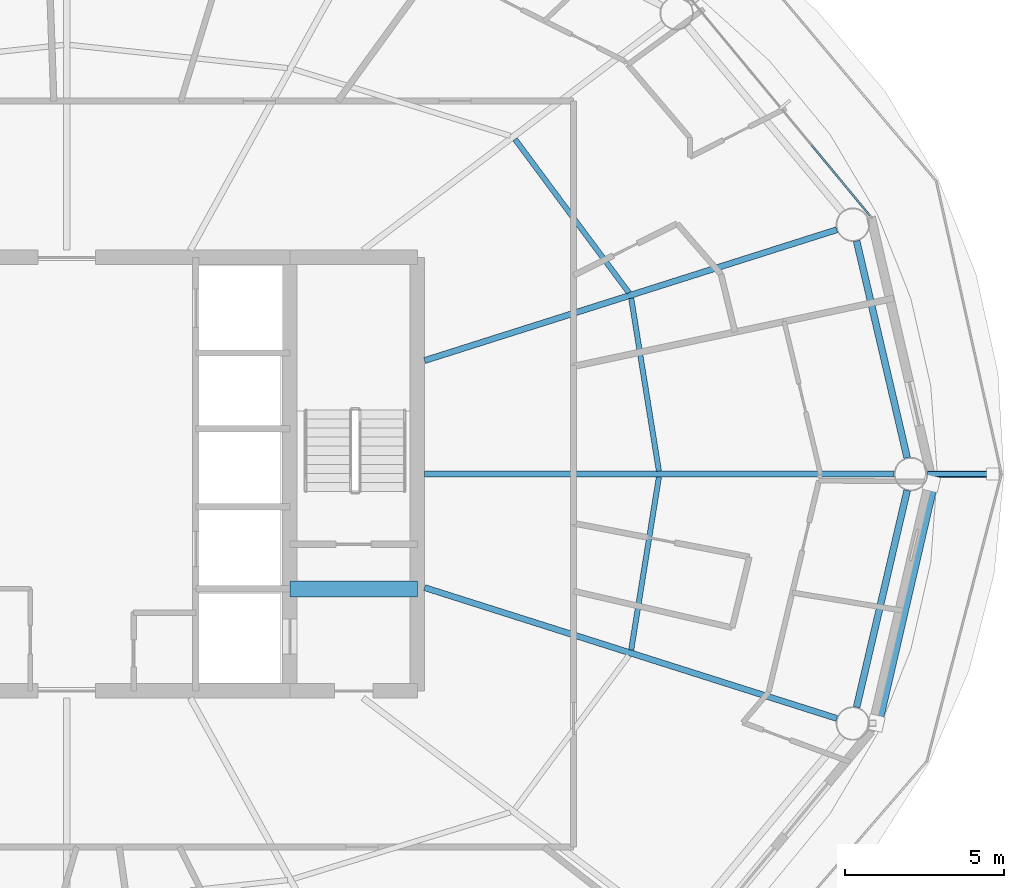
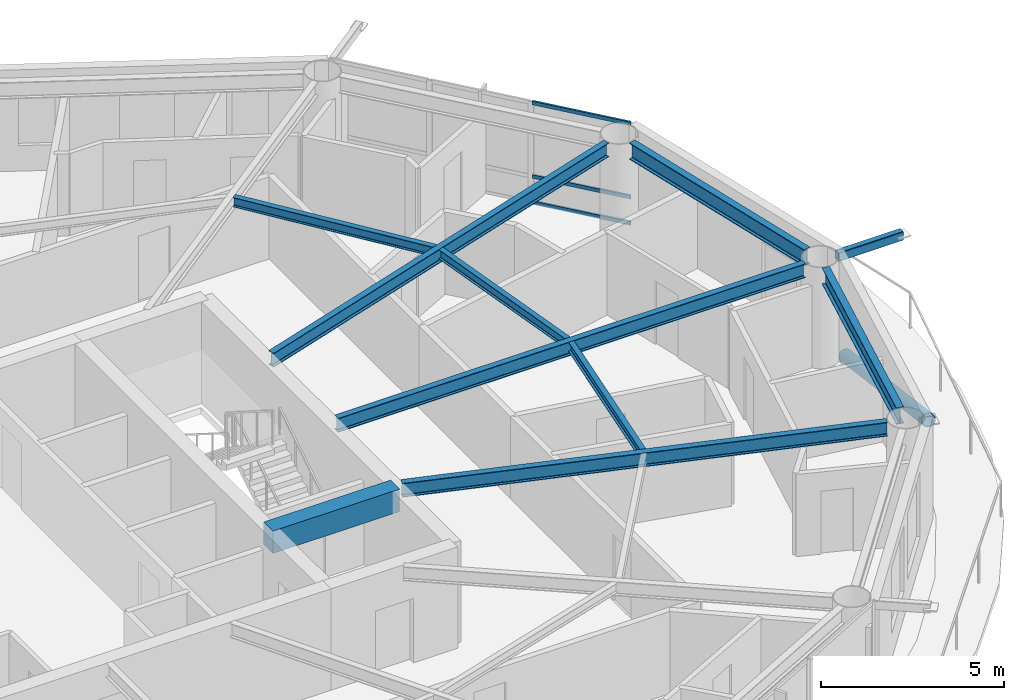
# One storey, part 8 of 29: 9 beams, 5 members, 1 element without a shape of its own.
"""IFC4 building model written with IfcOpenShell, lengths in metres."""

from ifc_helpers import new_model, si_unit, direction, frame, origin, origin_2d, place, context, subcontext, project, spatial, rectangle, hollow_rectangle, hollow_circle, i_section, extrude, material, layer, layer_set, material_profile, profile_set, type_object, element, aggregate, save


model = new_model("IFC4")

# Units and contexts
model_context = context("Model", 3, precision=1e-05, world=origin(), true_north=direction((0.0, 1.0)))
body_context = subcontext(model_context, "Body", "Model", "MODEL_VIEW")
ifc_project = project(units=[si_unit("LENGTHUNIT", "METRE"), si_unit("AREAUNIT", "SQUARE_METRE"), si_unit("VOLUMEUNIT", "CUBIC_METRE"), si_unit("PLANEANGLEUNIT", "RADIAN"), si_unit("MASSUNIT", "GRAM", prefix="KILO")], contexts=[model_context])

# Site, building, storey
site_placement = place(None, origin())
site = spatial("IfcSite", under=ifc_project, at=site_placement, CompositionType="ELEMENT")
building_placement = place(site_placement, origin())
building = spatial("IfcBuilding", under=site, at=building_placement, Name="Sarneth Arch Tower", CompositionType="ELEMENT")
storey_placement = place(building_placement, frame((0.0, 0.0, 165.0)))
storey = spatial("IfcBuildingStorey", under=building, at=storey_placement, Name="L41", CompositionType="ELEMENT", Elevation=165.0)

# Beams
ifc_material_1 = material(Name="Steel S355", Category="steel")
ifc_material_profile_1 = material_profile(ifc_material_1, i_section(OverallWidth=0.1669921875, OverallDepth=0.31689453125, WebThickness=0.007568359375, FlangeThickness=0.01318359375, FilletRadius=0.012939453125, at=origin_2d()), Name="W310x52")
ifc_profile_set_1 = profile_set([ifc_material_profile_1], Name="Steel S355")
beam_type_1 = type_object("IfcBeamType", Name="BM-JOIST-310B", PredefinedType="JOIST", material=ifc_profile_set_1)
beam_1_placement = place(storey_placement, frame((66.578125, 42.09521484375, 3.221435546875), z_axis=(-0.158262632389, 0.987397052451, 0.0), x_axis=(-0.987397052451, -0.158262632389, 0.0)))
element("IfcBeam", 1, at=beam_1_placement, inside=storey, type_object=beam_type_1, Name="L41 Secondary floor joist 01", PredefinedType="JOIST", context=body_context, shape_type="SweptSolid", body=[
    extrude(i_section(OverallWidth=0.1669921875, OverallDepth=0.31689453125, WebThickness=0.007568359375, FlangeThickness=0.01318359375, FilletRadius=0.012939453125, at=origin_2d()), origin(), (0.0, 0.0, 1.0), 5.493408203125),
])
beam_2_placement = place(storey_placement, frame((65.6357421875, 47.692138671875, 3.221435546875), z_axis=(-0.595933334016, 0.803033910497, 0.0), x_axis=(-0.803033910497, -0.595933334016, 0.0)))
element("IfcBeam", 2, at=beam_2_placement, inside=storey, type_object=beam_type_1, Name="L41 Secondary floor joist 02", PredefinedType="JOIST", context=body_context, shape_type="SweptSolid", body=[
    extrude(i_section(OverallWidth=0.1669921875, OverallDepth=0.31689453125, WebThickness=0.007568359375, FlangeThickness=0.01318359375, FilletRadius=0.012939453125, at=origin_2d()), origin(), (0.0, 0.0, 1.0), 5.99560546875),
])
beam_3_placement = place(storey_placement, frame((65.708740234375, 36.480712890625, 3.221435546875), z_axis=(0.158262632389, 0.987397052451, 0.0), x_axis=(-0.987397052451, 0.158262632389, 0.0)))
element("IfcBeam", 3, at=beam_3_placement, inside=storey, type_object=beam_type_1, Name="L41 Secondary floor joist 16", PredefinedType="JOIST", context=body_context, shape_type="SweptSolid", body=[
    extrude(i_section(OverallWidth=0.1669921875, OverallDepth=0.31689453125, WebThickness=0.007568359375, FlangeThickness=0.01318359375, FilletRadius=0.012939453125, at=origin_2d()), origin(), (0.0, 0.0, 1.0), 5.493408203125),
])
ifc_material_2 = material(Name="Concrete C50/60", Category="concrete")
ifc_material_profile_2 = material_profile(ifc_material_2, rectangle(XDim=0.5, YDim=0.75, at=origin_2d()), Name="RC-500x750")
ifc_profile_set_2 = profile_set([ifc_material_profile_2], Name="Concrete C50/60")
beam_type_2 = type_object("IfcBeamType", Name="BM-LINTEL-RC", PredefinedType="LINTEL", material=ifc_profile_set_2)
beam_4_placement = place(storey_placement, frame((55.0, 38.39990234375, 3.0048828125), z_axis=(1.0, 0.0, 0.0), x_axis=(0.0, 1.0, 0.0)))
element("IfcBeam", 4, at=beam_4_placement, inside=storey, type_object=beam_type_2, Name="L41 Core coupling lintel E", PredefinedType="LINTEL", context=body_context, shape_type="SweptSolid", body=[
    extrude(rectangle(XDim=0.5, YDim=0.75, at=origin_2d()), origin(), (0.0, 0.0, 1.0), 4.0),
])
ifc_material_3 = material(Name="Steel S355", Category="steel")
ifc_material_profile_3 = material_profile(ifc_material_3, i_section(OverallWidth=0.193115234375, OverallDepth=0.466064453125, WebThickness=0.011474609375, FlangeThickness=0.01904296875, FilletRadius=0.01806640625, at=origin_2d()), Name="W460x97")
ifc_profile_set_3 = profile_set([ifc_material_profile_3], Name="Steel S355")
beam_type_3 = type_object("IfcBeamType", Name="BM-RAD-460C", PredefinedType="BEAM", material=ifc_profile_set_3)
beam_5_placement = place(storey_placement, frame((59.22509765625, 42.0, 3.14697265625), z_axis=(1.0, 0.0, 0.0), x_axis=(0.0, 1.0, 0.0)))
element("IfcBeam", 5, at=beam_5_placement, inside=storey, type_object=beam_type_3, Name="L41 Radial floor girder 01", PredefinedType="BEAM", context=body_context, shape_type="SweptSolid", body=[
    extrude(i_section(OverallWidth=0.193115234375, OverallDepth=0.466064453125, WebThickness=0.011474609375, FlangeThickness=0.01904296875, FilletRadius=0.01806640625, at=origin_2d()), origin(), (0.0, 0.0, 1.0), 14.73681640625),
])
for number, where, z_axis, x_axis, name in (
    (6, (59.22509765625, 45.56201171875, 3.14697265625), (0.953163620049, 0.302455142815, 0.0), (-0.302455142815, 0.953163620049, 0.0), "L41 Radial floor girder 02"),
    (7, (59.22509765625, 38.43798828125, 3.14697265625), (0.953163620049, -0.302455142815, 0.0), (0.302455142815, 0.953163620049, 0.0), "L41 Radial floor girder 16"),
):
    element("IfcBeam", number, at=place(storey_placement, frame(where, z_axis=z_axis, x_axis=x_axis)), inside=storey, type_object=beam_type_3, Name=name, PredefinedType="BEAM", context=body_context, shape_type="SweptSolid", body=[
        extrude(i_section(OverallWidth=0.193115234375, OverallDepth=0.466064453125, WebThickness=0.011474609375, FlangeThickness=0.01904296875, FilletRadius=0.01806640625, at=origin_2d()), origin(), (0.0, 0.0, 1.0), 13.572265625),
    ])
ifc_material_4 = material(Name="Steel S355", Category="steel")
ifc_material_profile_4 = material_profile(ifc_material_4, i_section(OverallWidth=0.214111328125, OverallDepth=0.549072265625, WebThickness=0.0146484375, FlangeThickness=0.023681640625, FilletRadius=0.01806640625, at=origin_2d()), Name="W530x138")
ifc_profile_set_4 = profile_set([ifc_material_profile_4], Name="Steel S355")
beam_type_4 = type_object("IfcBeamType", Name="BM-RAD-530A", PredefinedType="BEAM", material=ifc_profile_set_4)
for number, where, z_axis, x_axis, name in (
    (8, (74.36767578125, 42.51123046875, 3.10546875), (-0.22708709918, 0.973874452579, 0.0), (-0.973874452579, -0.22708709918, 0.0), "L41 Perimeter spandrel beam 01"),
    (9, (72.78125, 34.685302734375, 3.10546875), (0.22708709918, 0.973874452579, 0.0), (-0.973874452579, 0.22708709918, 0.0), "L41 Perimeter spandrel beam 16"),
):
    element("IfcBeam", number, at=place(storey_placement, frame(where, z_axis=z_axis, x_axis=x_axis)), inside=storey, type_object=beam_type_4, Name=name, PredefinedType="BEAM", context=body_context, shape_type="SweptSolid", body=[
        extrude(i_section(OverallWidth=0.214111328125, OverallDepth=0.549072265625, WebThickness=0.0146484375, FlangeThickness=0.023681640625, FilletRadius=0.01806640625, at=origin_2d()), origin(), (0.0, 0.0, 1.0), 6.986083984375),
    ])

# Curtain wall, members
ifc_material_5 = material(Name="Anodised aluminium Type AA25 and solar-control low-e laminated IGU", Category="aluminium")
ifc_layer = layer(ifc_material_5, 0.169921875)
ifc_layer_set = layer_set([ifc_layer], Name="Anodised aluminium Type AA25 and solar-control low-e laminated IGU")
curtain_wall_type = type_object("IfcCurtainWallType", Name="CW-RES-MID", PredefinedType="NOTDEFINED", material=ifc_layer_set)
curtain_wall_placement = place(storey_placement, origin())
curtain_wall = element("IfcCurtainWall", 10, at=curtain_wall_placement, inside=storey, type_object=curtain_wall_type, Name="L41 Unitised curtain wall facet 02", PredefinedType="NOTDEFINED")
ifc_material_6 = material(Name="Anodised Aluminium 6063-T6", Category="aluminium")
ifc_material_profile_5 = material_profile(ifc_material_6, hollow_rectangle(XDim=0.06005859375, YDim=0.1201171875, WallThickness=0.00390625, at=origin_2d()), Name="AL-TRAN-120x60x4")
ifc_profile_set_5 = profile_set([ifc_material_profile_5], Name="Anodised Aluminium 6063-T6")
member_type_1 = type_object("IfcMemberType", Name="CW-TRANSOM", PredefinedType="USERDEFINED", material=ifc_profile_set_5)
member_1_placement = place(storey_placement, frame((73.194091796875, 50.11328125, 0.030029296875), z_axis=(-0.637358651504, 0.770567290607, 0.0), x_axis=(-0.770567290607, -0.637358651504, 0.0)))
member_1 = element("IfcMember", 11, at=member_1_placement, type_object=member_type_1, Name="CW-SYS-5 transom 1.1", ObjectType="TRANSOM", PredefinedType="USERDEFINED", context=body_context, shape_type="SweptSolid", body=[
    extrude(hollow_rectangle(XDim=0.06005859375, YDim=0.1201171875, WallThickness=0.00390625, at=origin_2d()), origin(), (0.0, 0.0, 1.0), 2.8681640625),
])
member_2_placement = place(storey_placement, frame((73.194091796875, 50.11328125, 0.89990234375), z_axis=(-0.637358651504, 0.770567290607, 0.0), x_axis=(-0.770567290607, -0.637358651504, 0.0)))
member_2 = element("IfcMember", 12, at=member_2_placement, type_object=member_type_1, Name="CW-SYS-5 transom 1.2", ObjectType="TRANSOM", PredefinedType="USERDEFINED", context=body_context, shape_type="SweptSolid", body=[
    extrude(hollow_rectangle(XDim=0.06005859375, YDim=0.1201171875, WallThickness=0.00390625, at=origin_2d()), origin(), (0.0, 0.0, 1.0), 2.8681640625),
])
member_3_placement = place(storey_placement, frame((73.194091796875, 50.11328125, 3.35009765625), z_axis=(-0.637358651504, 0.770567290607, 0.0), x_axis=(-0.770567290607, -0.637358651504, 0.0)))
member_3 = element("IfcMember", 13, at=member_3_placement, type_object=member_type_1, Name="CW-SYS-5 transom 1.3", ObjectType="TRANSOM", PredefinedType="USERDEFINED", context=body_context, shape_type="SweptSolid", body=[
    extrude(hollow_rectangle(XDim=0.06005859375, YDim=0.1201171875, WallThickness=0.00390625, at=origin_2d()), origin(), (0.0, 0.0, 1.0), 2.8681640625),
])
aggregate(curtain_wall, [member_1, member_2, member_3])

# Members
ifc_material_7 = material(Name="Steel S355", Category="steel")
ifc_material_profile_6 = material_profile(ifc_material_7, hollow_rectangle(XDim=0.199951171875, YDim=0.300048828125, WallThickness=0.012451171875, InnerFilletRadius=0.018798828125, OuterFilletRadius=0.03125, at=origin_2d()), Name="RHS300x200x12.5")
ifc_profile_set_6 = profile_set([ifc_material_profile_6], Name="Steel S355")
member_type_2 = type_object("IfcMemberType", Name="MEM-CANT-STRUT", PredefinedType="STRUT", material=ifc_profile_set_6)
member_4_placement = place(storey_placement, frame((75.011962890625, 42.0, 3.219970703125), z_axis=(1.0, 0.0, 0.0), x_axis=(0.0, 1.0, 0.0)))
element("IfcMember", 14, at=member_4_placement, inside=storey, type_object=member_type_2, Name="L41 Balcony cantilever bracket 01", PredefinedType="STRUT", context=body_context, shape_type="SweptSolid", body=[
    extrude(hollow_rectangle(XDim=0.199951171875, YDim=0.300048828125, WallThickness=0.012451171875, InnerFilletRadius=0.018798828125, OuterFilletRadius=0.03125, at=origin_2d()), origin(), (0.0, 0.0, 1.0), 2.041015625),
])
ifc_material_8 = material(Name="Steel S355", Category="steel")
ifc_material_profile_7 = material_profile(ifc_material_8, hollow_circle(Radius=0.202880859375, WallThickness=0.01611328125, at=origin_2d()), Name="CHS406x16")
ifc_profile_set_7 = profile_set([ifc_material_profile_7], Name="Steel S355")
member_type_3 = type_object("IfcMemberType", Name="MEM-DIAG-BR2", PredefinedType="BRACE", material=ifc_profile_set_7)
member_5_placement = place(storey_placement, frame((75.12890625, 41.707763671875, 0.02001953125), z_axis=(-0.209646277215, -0.90691666474, 0.365445757488), x_axis=(0.974306903917, -0.225224459107, 0.0)))
element("IfcMember", 15, at=member_5_placement, inside=storey, type_object=member_type_3, Name="L41 Perimeter frame diagonal 16", PredefinedType="BRACE", context=body_context, shape_type="SweptSolid", body=[
    extrude(hollow_circle(Radius=0.202880859375, WallThickness=0.01611328125, at=origin_2d()), origin(), (0.0, 0.0, 1.0), 8.292724609375),
])

save(model, "model.ifc")
